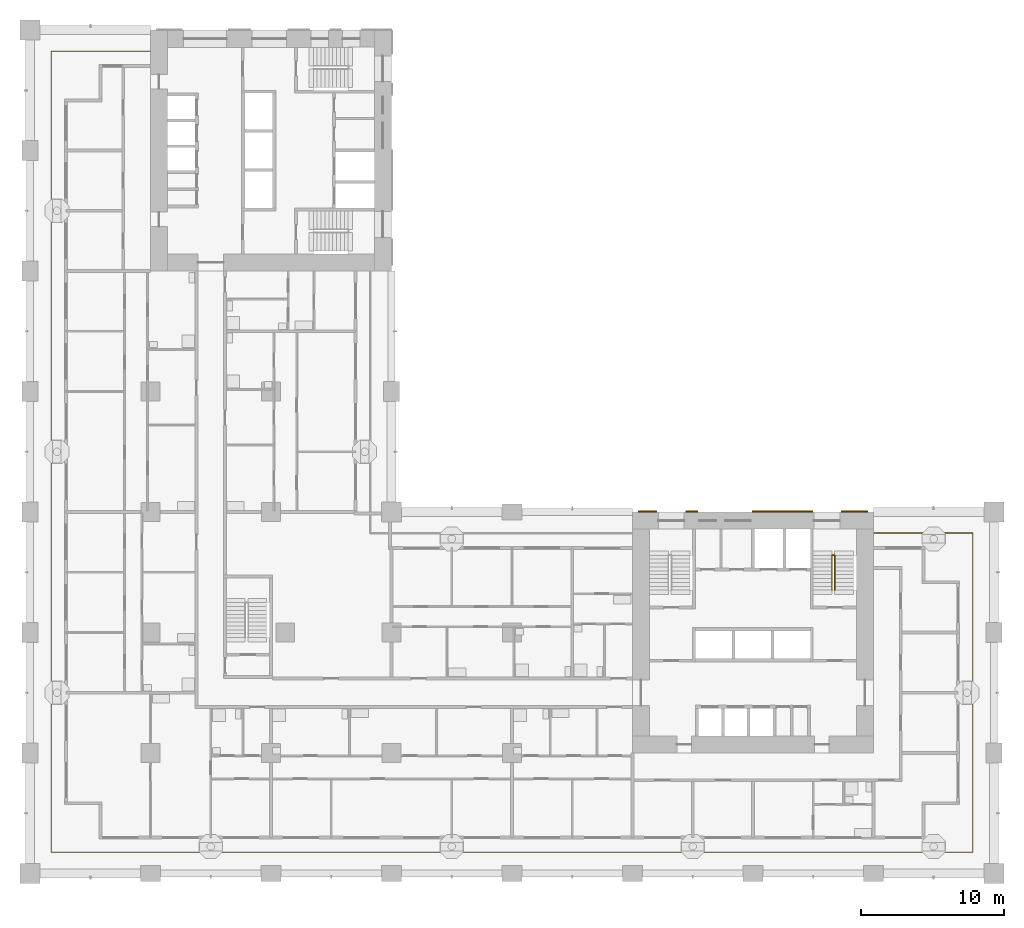
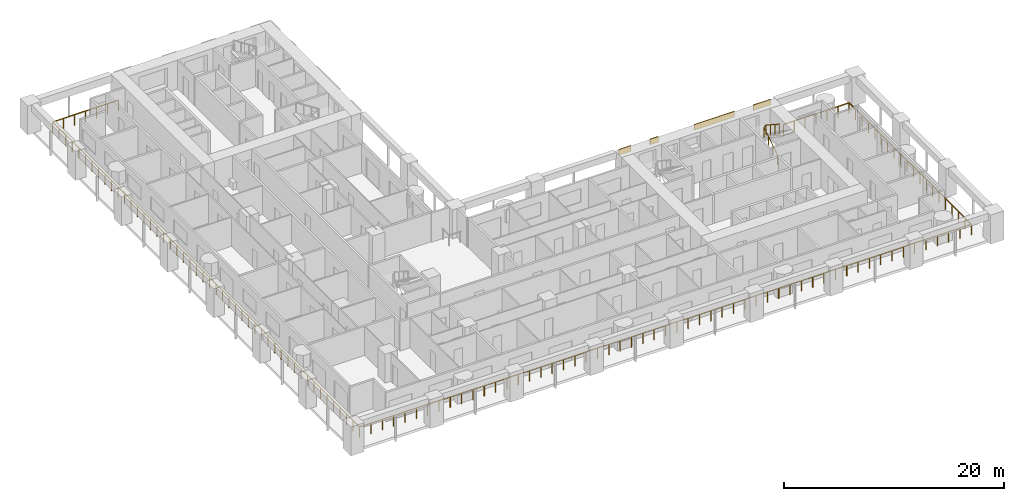
# One storey, part 13 of 20: 4 shading devices, 2 railings.
"""IFC4 building model written with IfcOpenShell, lengths in metres."""

from ifc_helpers import new_model, si_unit, direction, frame, origin, origin_2d, place, context, subcontext, project, spatial, rectangle, circle, extrude, material, layer, layer_set, type_object, element, save


model = new_model("IFC4")

# Units and contexts
model_context = context("Model", 3, precision=1e-05, world=origin(), true_north=direction((0.0, 1.0)))
body_context = subcontext(model_context, "Body", "Model", "MODEL_VIEW")
ifc_project = project(units=[si_unit("LENGTHUNIT", "METRE"), si_unit("AREAUNIT", "SQUARE_METRE"), si_unit("VOLUMEUNIT", "CUBIC_METRE"), si_unit("PLANEANGLEUNIT", "RADIAN"), si_unit("MASSUNIT", "GRAM", prefix="KILO")], contexts=[model_context])

# Site, building, storey
site_placement = place(None, origin())
site = spatial("IfcSite", under=ifc_project, at=site_placement, CompositionType="ELEMENT")
building_placement = place(site_placement, origin())
building = spatial("IfcBuilding", under=site, at=building_placement, Name="Vermilion Gate Residences", CompositionType="ELEMENT")
storey_placement = place(building_placement, frame((0.0, 0.0, 35.699951171875)))
storey = spatial("IfcBuildingStorey", under=building, at=storey_placement, Name="L07", CompositionType="ELEMENT", Elevation=35.699951171875)

# Railings
ifc_material_1 = material(Name="Stainless steel and toughened glass", Category="steel")
railing_type_1 = type_object("IfcRailingType", Name="LOGGIA GUARD STEEL AND GLASS 1200", PredefinedType="GUARDRAIL", material=ifc_material_1)
railing_1_placement = place(storey_placement, frame((8.3779296875, 57.324951171875, 0.0)))
element("IfcRailing", 1, at=railing_1_placement, inside=storey, type_object=railing_type_1, Name="Loggia guard", PredefinedType="GUARDRAIL", context=body_context, shape_type="SweptSolid", body=[
    extrude(circle(Radius=0.030029296875, at=origin_2d()), frame((0.0, 0.0, 1.169921875), z_axis=(-1.0, 0.0, 0.0), x_axis=(0.0, -1.0, 0.0)), (0.0, 0.0, 1.0), 6.90283203125),
    extrude(circle(Radius=0.030029296875, at=origin_2d()), frame((-6.90283203125, 0.0, 1.169921875), z_axis=(0.0, -1.0, 0.0), x_axis=(1.0, 0.0, 0.0)), (0.0, 0.0, 1.0), 55.849853515625),
    extrude(circle(Radius=0.030029296875, at=origin_2d()), frame((-6.90283203125, -55.849853515625, 1.169921875), z_axis=(1.0, 0.0, 0.0), x_axis=(0.0, 1.0, 0.0)), (0.0, 0.0, 1.0), 64.25),
    extrude(circle(Radius=0.030029296875, at=origin_2d()), frame((57.34716796875, -55.849853515625, 1.169921875), z_axis=(0.0, 1.0, 0.0), x_axis=(-1.0, 0.0, 0.0)), (0.0, 0.0, 1.0), 22.25),
    extrude(circle(Radius=0.030029296875, at=origin_2d()), frame((57.34716796875, -33.599853515625, 1.169921875), z_axis=(-1.0, 0.0, 0.0), x_axis=(0.0, -1.0, 0.0)), (0.0, 0.0, 1.0), 6.903076171875),
    extrude(circle(Radius=0.02490234375, at=origin_2d()), origin(), (0.0, 0.0, 1.0), 1.139892578125),
    extrude(circle(Radius=0.02490234375, at=origin_2d()), frame((-1.150390625, 0.0, 0.0)), (0.0, 0.0, 1.0), 1.139892578125),
    extrude(circle(Radius=0.02490234375, at=origin_2d()), frame((-2.301025390625, 0.0, 0.0)), (0.0, 0.0, 1.0), 1.139892578125),
    extrude(circle(Radius=0.02490234375, at=origin_2d()), frame((-3.451416015625, 0.0, 0.0)), (0.0, 0.0, 1.0), 1.139892578125),
    extrude(circle(Radius=0.02490234375, at=origin_2d()), frame((-4.601806640625, 0.0, 0.0)), (0.0, 0.0, 1.0), 1.139892578125),
    extrude(circle(Radius=0.02490234375, at=origin_2d()), frame((-5.75244140625, 0.0, 0.0)), (0.0, 0.0, 1.0), 1.139892578125),
    extrude(circle(Radius=0.02490234375, at=origin_2d()), frame((-6.90283203125, 0.0, 0.0)), (0.0, 0.0, 1.0), 1.139892578125),
    extrude(circle(Radius=0.02490234375, at=origin_2d()), frame((-6.90283203125, -1.188232421875, 0.0)), (0.0, 0.0, 1.0), 1.139892578125),
    extrude(circle(Radius=0.02490234375, at=origin_2d()), frame((-6.90283203125, -2.376708984375, 0.0)), (0.0, 0.0, 1.0), 1.139892578125),
    extrude(circle(Radius=0.02490234375, at=origin_2d()), frame((-6.90283203125, -3.56494140625, 0.0)), (0.0, 0.0, 1.0), 1.139892578125),
    extrude(circle(Radius=0.02490234375, at=origin_2d()), frame((-6.90283203125, -4.753173828125, 0.0)), (0.0, 0.0, 1.0), 1.139892578125),
    extrude(circle(Radius=0.02490234375, at=origin_2d()), frame((-6.90283203125, -5.94140625, 0.0)), (0.0, 0.0, 1.0), 1.139892578125),
    extrude(circle(Radius=0.02490234375, at=origin_2d()), frame((-6.90283203125, -7.1298828125, 0.0)), (0.0, 0.0, 1.0), 1.139892578125),
    extrude(circle(Radius=0.02490234375, at=origin_2d()), frame((-6.90283203125, -8.318115234375, 0.0)), (0.0, 0.0, 1.0), 1.139892578125),
    extrude(circle(Radius=0.02490234375, at=origin_2d()), frame((-6.90283203125, -9.50634765625, 0.0)), (0.0, 0.0, 1.0), 1.139892578125),
    extrude(circle(Radius=0.02490234375, at=origin_2d()), frame((-6.90283203125, -10.694580078125, 0.0)), (0.0, 0.0, 1.0), 1.139892578125),
    extrude(circle(Radius=0.02490234375, at=origin_2d()), frame((-6.90283203125, -11.883056640625, 0.0)), (0.0, 0.0, 1.0), 1.139892578125),
    extrude(circle(Radius=0.02490234375, at=origin_2d()), frame((-6.90283203125, -13.0712890625, 0.0)), (0.0, 0.0, 1.0), 1.139892578125),
    extrude(circle(Radius=0.02490234375, at=origin_2d()), frame((-6.90283203125, -14.259521484375, 0.0)), (0.0, 0.0, 1.0), 1.139892578125),
    extrude(circle(Radius=0.02490234375, at=origin_2d()), frame((-6.90283203125, -15.44775390625, 0.0)), (0.0, 0.0, 1.0), 1.139892578125),
    extrude(circle(Radius=0.02490234375, at=origin_2d()), frame((-6.90283203125, -16.63623046875, 0.0)), (0.0, 0.0, 1.0), 1.139892578125),
    extrude(circle(Radius=0.02490234375, at=origin_2d()), frame((-6.90283203125, -17.824462890625, 0.0)), (0.0, 0.0, 1.0), 1.139892578125),
    extrude(circle(Radius=0.02490234375, at=origin_2d()), frame((-6.90283203125, -19.0126953125, 0.0)), (0.0, 0.0, 1.0), 1.139892578125),
    extrude(circle(Radius=0.02490234375, at=origin_2d()), frame((-6.90283203125, -20.200927734375, 0.0)), (0.0, 0.0, 1.0), 1.139892578125),
    extrude(circle(Radius=0.02490234375, at=origin_2d()), frame((-6.90283203125, -21.389404296875, 0.0)), (0.0, 0.0, 1.0), 1.139892578125),
    extrude(circle(Radius=0.02490234375, at=origin_2d()), frame((-6.90283203125, -22.57763671875, 0.0)), (0.0, 0.0, 1.0), 1.139892578125),
    extrude(circle(Radius=0.02490234375, at=origin_2d()), frame((-6.90283203125, -23.765869140625, 0.0)), (0.0, 0.0, 1.0), 1.139892578125),
    extrude(circle(Radius=0.02490234375, at=origin_2d()), frame((-6.90283203125, -24.9541015625, 0.0)), (0.0, 0.0, 1.0), 1.139892578125),
    extrude(circle(Radius=0.02490234375, at=origin_2d()), frame((-6.90283203125, -26.142578125, 0.0)), (0.0, 0.0, 1.0), 1.139892578125),
    extrude(circle(Radius=0.02490234375, at=origin_2d()), frame((-6.90283203125, -27.330810546875, 0.0)), (0.0, 0.0, 1.0), 1.139892578125),
    extrude(circle(Radius=0.02490234375, at=origin_2d()), frame((-6.90283203125, -28.51904296875, 0.0)), (0.0, 0.0, 1.0), 1.139892578125),
    extrude(circle(Radius=0.02490234375, at=origin_2d()), frame((-6.90283203125, -29.707275390625, 0.0)), (0.0, 0.0, 1.0), 1.139892578125),
    extrude(circle(Radius=0.02490234375, at=origin_2d()), frame((-6.90283203125, -30.895751953125, 0.0)), (0.0, 0.0, 1.0), 1.139892578125),
    extrude(circle(Radius=0.02490234375, at=origin_2d()), frame((-6.90283203125, -32.083984375, 0.0)), (0.0, 0.0, 1.0), 1.139892578125),
    extrude(circle(Radius=0.02490234375, at=origin_2d()), frame((-6.90283203125, -33.272216796875, 0.0)), (0.0, 0.0, 1.0), 1.139892578125),
    extrude(circle(Radius=0.02490234375, at=origin_2d()), frame((-6.90283203125, -34.46044921875, 0.0)), (0.0, 0.0, 1.0), 1.139892578125),
    extrude(circle(Radius=0.02490234375, at=origin_2d()), frame((-6.90283203125, -35.64892578125, 0.0)), (0.0, 0.0, 1.0), 1.139892578125),
    extrude(circle(Radius=0.02490234375, at=origin_2d()), frame((-6.90283203125, -36.837158203125, 0.0)), (0.0, 0.0, 1.0), 1.139892578125),
    extrude(circle(Radius=0.02490234375, at=origin_2d()), frame((-6.90283203125, -38.025390625, 0.0)), (0.0, 0.0, 1.0), 1.139892578125),
    extrude(circle(Radius=0.02490234375, at=origin_2d()), frame((-6.90283203125, -39.213623046875, 0.0)), (0.0, 0.0, 1.0), 1.139892578125),
    extrude(circle(Radius=0.02490234375, at=origin_2d()), frame((-6.90283203125, -40.402099609375, 0.0)), (0.0, 0.0, 1.0), 1.139892578125),
    extrude(circle(Radius=0.02490234375, at=origin_2d()), frame((-6.90283203125, -41.59033203125, 0.0)), (0.0, 0.0, 1.0), 1.139892578125),
    extrude(circle(Radius=0.02490234375, at=origin_2d()), frame((-6.90283203125, -42.778564453125, 0.0)), (0.0, 0.0, 1.0), 1.139892578125),
    extrude(circle(Radius=0.02490234375, at=origin_2d()), frame((-6.90283203125, -43.966796875, 0.0)), (0.0, 0.0, 1.0), 1.139892578125),
    extrude(circle(Radius=0.02490234375, at=origin_2d()), frame((-6.90283203125, -45.1552734375, 0.0)), (0.0, 0.0, 1.0), 1.139892578125),
    extrude(circle(Radius=0.02490234375, at=origin_2d()), frame((-6.90283203125, -46.343505859375, 0.0)), (0.0, 0.0, 1.0), 1.139892578125),
    extrude(circle(Radius=0.02490234375, at=origin_2d()), frame((-6.90283203125, -47.53173828125, 0.0)), (0.0, 0.0, 1.0), 1.139892578125),
    extrude(circle(Radius=0.02490234375, at=origin_2d()), frame((-6.90283203125, -48.719970703125, 0.0)), (0.0, 0.0, 1.0), 1.139892578125),
    extrude(circle(Radius=0.02490234375, at=origin_2d()), frame((-6.90283203125, -49.908447265625, 0.0)), (0.0, 0.0, 1.0), 1.139892578125),
    extrude(circle(Radius=0.02490234375, at=origin_2d()), frame((-6.90283203125, -51.0966796875, 0.0)), (0.0, 0.0, 1.0), 1.139892578125),
    extrude(circle(Radius=0.02490234375, at=origin_2d()), frame((-6.90283203125, -52.284912109375, 0.0)), (0.0, 0.0, 1.0), 1.139892578125),
    extrude(circle(Radius=0.02490234375, at=origin_2d()), frame((-6.90283203125, -53.47314453125, 0.0)), (0.0, 0.0, 1.0), 1.139892578125),
    extrude(circle(Radius=0.02490234375, at=origin_2d()), frame((-6.90283203125, -54.66162109375, 0.0)), (0.0, 0.0, 1.0), 1.139892578125),
    extrude(circle(Radius=0.02490234375, at=origin_2d()), frame((-6.90283203125, -55.849853515625, 0.0)), (0.0, 0.0, 1.0), 1.139892578125),
    extrude(circle(Radius=0.02490234375, at=origin_2d()), frame((-5.713134765625, -55.849853515625, 0.0)), (0.0, 0.0, 1.0), 1.139892578125),
    extrude(circle(Radius=0.02490234375, at=origin_2d()), frame((-4.523193359375, -55.849853515625, 0.0)), (0.0, 0.0, 1.0), 1.139892578125),
    extrude(circle(Radius=0.02490234375, at=origin_2d()), frame((-3.33349609375, -55.849853515625, 0.0)), (0.0, 0.0, 1.0), 1.139892578125),
    extrude(circle(Radius=0.02490234375, at=origin_2d()), frame((-2.1435546875, -55.849853515625, 0.0)), (0.0, 0.0, 1.0), 1.139892578125),
    extrude(circle(Radius=0.02490234375, at=origin_2d()), frame((-0.953857421875, -55.849853515625, 0.0)), (0.0, 0.0, 1.0), 1.139892578125),
    extrude(circle(Radius=0.02490234375, at=origin_2d()), frame((0.236083984375, -55.849853515625, 0.0)), (0.0, 0.0, 1.0), 1.139892578125),
    extrude(circle(Radius=0.02490234375, at=origin_2d()), frame((1.42578125, -55.849853515625, 0.0)), (0.0, 0.0, 1.0), 1.139892578125),
    extrude(circle(Radius=0.02490234375, at=origin_2d()), frame((2.61572265625, -55.849853515625, 0.0)), (0.0, 0.0, 1.0), 1.139892578125),
    extrude(circle(Radius=0.02490234375, at=origin_2d()), frame((3.805419921875, -55.849853515625, 0.0)), (0.0, 0.0, 1.0), 1.139892578125),
    extrude(circle(Radius=0.02490234375, at=origin_2d()), frame((4.995361328125, -55.849853515625, 0.0)), (0.0, 0.0, 1.0), 1.139892578125),
    extrude(circle(Radius=0.02490234375, at=origin_2d()), frame((6.18505859375, -55.849853515625, 0.0)), (0.0, 0.0, 1.0), 1.139892578125),
    extrude(circle(Radius=0.02490234375, at=origin_2d()), frame((7.375, -55.849853515625, 0.0)), (0.0, 0.0, 1.0), 1.139892578125),
    extrude(circle(Radius=0.02490234375, at=origin_2d()), frame((8.564697265625, -55.849853515625, 0.0)), (0.0, 0.0, 1.0), 1.139892578125),
    extrude(circle(Radius=0.02490234375, at=origin_2d()), frame((9.754638671875, -55.849853515625, 0.0)), (0.0, 0.0, 1.0), 1.139892578125),
    extrude(circle(Radius=0.02490234375, at=origin_2d()), frame((10.9443359375, -55.849853515625, 0.0)), (0.0, 0.0, 1.0), 1.139892578125),
    extrude(circle(Radius=0.02490234375, at=origin_2d()), frame((12.13427734375, -55.849853515625, 0.0)), (0.0, 0.0, 1.0), 1.139892578125),
    extrude(circle(Radius=0.02490234375, at=origin_2d()), frame((13.323974609375, -55.849853515625, 0.0)), (0.0, 0.0, 1.0), 1.139892578125),
    extrude(circle(Radius=0.02490234375, at=origin_2d()), frame((14.513916015625, -55.849853515625, 0.0)), (0.0, 0.0, 1.0), 1.139892578125),
    extrude(circle(Radius=0.02490234375, at=origin_2d()), frame((15.70361328125, -55.849853515625, 0.0)), (0.0, 0.0, 1.0), 1.139892578125),
    extrude(circle(Radius=0.02490234375, at=origin_2d()), frame((16.8935546875, -55.849853515625, 0.0)), (0.0, 0.0, 1.0), 1.139892578125),
    extrude(circle(Radius=0.02490234375, at=origin_2d()), frame((18.083251953125, -55.849853515625, 0.0)), (0.0, 0.0, 1.0), 1.139892578125),
    extrude(circle(Radius=0.02490234375, at=origin_2d()), frame((19.273193359375, -55.849853515625, 0.0)), (0.0, 0.0, 1.0), 1.139892578125),
    extrude(circle(Radius=0.02490234375, at=origin_2d()), frame((20.462890625, -55.849853515625, 0.0)), (0.0, 0.0, 1.0), 1.139892578125),
    extrude(circle(Radius=0.02490234375, at=origin_2d()), frame((21.65283203125, -55.849853515625, 0.0)), (0.0, 0.0, 1.0), 1.139892578125),
    extrude(circle(Radius=0.02490234375, at=origin_2d()), frame((22.842529296875, -55.849853515625, 0.0)), (0.0, 0.0, 1.0), 1.139892578125),
    extrude(circle(Radius=0.02490234375, at=origin_2d()), frame((24.032470703125, -55.849853515625, 0.0)), (0.0, 0.0, 1.0), 1.139892578125),
    extrude(circle(Radius=0.02490234375, at=origin_2d()), frame((25.22216796875, -55.849853515625, 0.0)), (0.0, 0.0, 1.0), 1.139892578125),
    extrude(circle(Radius=0.02490234375, at=origin_2d()), frame((26.411865234375, -55.849853515625, 0.0)), (0.0, 0.0, 1.0), 1.139892578125),
    extrude(circle(Radius=0.02490234375, at=origin_2d()), frame((27.601806640625, -55.849853515625, 0.0)), (0.0, 0.0, 1.0), 1.139892578125),
    extrude(circle(Radius=0.02490234375, at=origin_2d()), frame((28.79150390625, -55.849853515625, 0.0)), (0.0, 0.0, 1.0), 1.139892578125),
    extrude(circle(Radius=0.02490234375, at=origin_2d()), frame((29.9814453125, -55.849853515625, 0.0)), (0.0, 0.0, 1.0), 1.139892578125),
    extrude(circle(Radius=0.02490234375, at=origin_2d()), frame((31.171142578125, -55.849853515625, 0.0)), (0.0, 0.0, 1.0), 1.139892578125),
    extrude(circle(Radius=0.02490234375, at=origin_2d()), frame((32.361083984375, -55.849853515625, 0.0)), (0.0, 0.0, 1.0), 1.139892578125),
    extrude(circle(Radius=0.02490234375, at=origin_2d()), frame((33.55078125, -55.849853515625, 0.0)), (0.0, 0.0, 1.0), 1.139892578125),
    extrude(circle(Radius=0.02490234375, at=origin_2d()), frame((34.74072265625, -55.849853515625, 0.0)), (0.0, 0.0, 1.0), 1.139892578125),
    extrude(circle(Radius=0.02490234375, at=origin_2d()), frame((35.930419921875, -55.849853515625, 0.0)), (0.0, 0.0, 1.0), 1.139892578125),
    extrude(circle(Radius=0.02490234375, at=origin_2d()), frame((37.120361328125, -55.849853515625, 0.0)), (0.0, 0.0, 1.0), 1.139892578125),
    extrude(circle(Radius=0.02490234375, at=origin_2d()), frame((38.31005859375, -55.849853515625, 0.0)), (0.0, 0.0, 1.0), 1.139892578125),
    extrude(circle(Radius=0.02490234375, at=origin_2d()), frame((39.5, -55.849853515625, 0.0)), (0.0, 0.0, 1.0), 1.139892578125),
    extrude(circle(Radius=0.02490234375, at=origin_2d()), frame((40.689697265625, -55.849853515625, 0.0)), (0.0, 0.0, 1.0), 1.139892578125),
    extrude(circle(Radius=0.02490234375, at=origin_2d()), frame((41.879638671875, -55.849853515625, 0.0)), (0.0, 0.0, 1.0), 1.139892578125),
    extrude(circle(Radius=0.02490234375, at=origin_2d()), frame((43.0693359375, -55.849853515625, 0.0)), (0.0, 0.0, 1.0), 1.139892578125),
    extrude(circle(Radius=0.02490234375, at=origin_2d()), frame((44.25927734375, -55.849853515625, 0.0)), (0.0, 0.0, 1.0), 1.139892578125),
    extrude(circle(Radius=0.02490234375, at=origin_2d()), frame((45.448974609375, -55.849853515625, 0.0)), (0.0, 0.0, 1.0), 1.139892578125),
    extrude(circle(Radius=0.02490234375, at=origin_2d()), frame((46.638916015625, -55.849853515625, 0.0)), (0.0, 0.0, 1.0), 1.139892578125),
    extrude(circle(Radius=0.02490234375, at=origin_2d()), frame((47.82861328125, -55.849853515625, 0.0)), (0.0, 0.0, 1.0), 1.139892578125),
    extrude(circle(Radius=0.02490234375, at=origin_2d()), frame((49.0185546875, -55.849853515625, 0.0)), (0.0, 0.0, 1.0), 1.139892578125),
    extrude(circle(Radius=0.02490234375, at=origin_2d()), frame((50.208251953125, -55.849853515625, 0.0)), (0.0, 0.0, 1.0), 1.139892578125),
    extrude(circle(Radius=0.02490234375, at=origin_2d()), frame((51.398193359375, -55.849853515625, 0.0)), (0.0, 0.0, 1.0), 1.139892578125),
    extrude(circle(Radius=0.02490234375, at=origin_2d()), frame((52.587890625, -55.849853515625, 0.0)), (0.0, 0.0, 1.0), 1.139892578125),
    extrude(circle(Radius=0.02490234375, at=origin_2d()), frame((53.77783203125, -55.849853515625, 0.0)), (0.0, 0.0, 1.0), 1.139892578125),
    extrude(circle(Radius=0.02490234375, at=origin_2d()), frame((54.967529296875, -55.849853515625, 0.0)), (0.0, 0.0, 1.0), 1.139892578125),
    extrude(circle(Radius=0.02490234375, at=origin_2d()), frame((56.157470703125, -55.849853515625, 0.0)), (0.0, 0.0, 1.0), 1.139892578125),
    extrude(circle(Radius=0.02490234375, at=origin_2d()), frame((57.34716796875, -55.849853515625, 0.0)), (0.0, 0.0, 1.0), 1.139892578125),
    extrude(circle(Radius=0.02490234375, at=origin_2d()), frame((57.34716796875, -54.6787109375, 0.0)), (0.0, 0.0, 1.0), 1.139892578125),
    extrude(circle(Radius=0.02490234375, at=origin_2d()), frame((57.34716796875, -53.5078125, 0.0)), (0.0, 0.0, 1.0), 1.139892578125),
    extrude(circle(Radius=0.02490234375, at=origin_2d()), frame((57.34716796875, -52.336669921875, 0.0)), (0.0, 0.0, 1.0), 1.139892578125),
    extrude(circle(Radius=0.02490234375, at=origin_2d()), frame((57.34716796875, -51.16552734375, 0.0)), (0.0, 0.0, 1.0), 1.139892578125),
    extrude(circle(Radius=0.02490234375, at=origin_2d()), frame((57.34716796875, -49.99462890625, 0.0)), (0.0, 0.0, 1.0), 1.139892578125),
    extrude(circle(Radius=0.02490234375, at=origin_2d()), frame((57.34716796875, -48.823486328125, 0.0)), (0.0, 0.0, 1.0), 1.139892578125),
    extrude(circle(Radius=0.02490234375, at=origin_2d()), frame((57.34716796875, -47.652587890625, 0.0)), (0.0, 0.0, 1.0), 1.139892578125),
    extrude(circle(Radius=0.02490234375, at=origin_2d()), frame((57.34716796875, -46.4814453125, 0.0)), (0.0, 0.0, 1.0), 1.139892578125),
    extrude(circle(Radius=0.02490234375, at=origin_2d()), frame((57.34716796875, -45.310302734375, 0.0)), (0.0, 0.0, 1.0), 1.139892578125),
    extrude(circle(Radius=0.02490234375, at=origin_2d()), frame((57.34716796875, -44.139404296875, 0.0)), (0.0, 0.0, 1.0), 1.139892578125),
    extrude(circle(Radius=0.02490234375, at=origin_2d()), frame((57.34716796875, -42.96826171875, 0.0)), (0.0, 0.0, 1.0), 1.139892578125),
    extrude(circle(Radius=0.02490234375, at=origin_2d()), frame((57.34716796875, -41.797119140625, 0.0)), (0.0, 0.0, 1.0), 1.139892578125),
    extrude(circle(Radius=0.02490234375, at=origin_2d()), frame((57.34716796875, -40.626220703125, 0.0)), (0.0, 0.0, 1.0), 1.139892578125),
    extrude(circle(Radius=0.02490234375, at=origin_2d()), frame((57.34716796875, -39.455078125, 0.0)), (0.0, 0.0, 1.0), 1.139892578125),
    extrude(circle(Radius=0.02490234375, at=origin_2d()), frame((57.34716796875, -38.2841796875, 0.0)), (0.0, 0.0, 1.0), 1.139892578125),
    extrude(circle(Radius=0.02490234375, at=origin_2d()), frame((57.34716796875, -37.113037109375, 0.0)), (0.0, 0.0, 1.0), 1.139892578125),
    extrude(circle(Radius=0.02490234375, at=origin_2d()), frame((57.34716796875, -35.94189453125, 0.0)), (0.0, 0.0, 1.0), 1.139892578125),
    extrude(circle(Radius=0.02490234375, at=origin_2d()), frame((57.34716796875, -34.77099609375, 0.0)), (0.0, 0.0, 1.0), 1.139892578125),
    extrude(circle(Radius=0.02490234375, at=origin_2d()), frame((57.34716796875, -33.599853515625, 0.0)), (0.0, 0.0, 1.0), 1.139892578125),
    extrude(circle(Radius=0.02490234375, at=origin_2d()), frame((56.19677734375, -33.599853515625, 0.0)), (0.0, 0.0, 1.0), 1.139892578125),
    extrude(circle(Radius=0.02490234375, at=origin_2d()), frame((55.046142578125, -33.599853515625, 0.0)), (0.0, 0.0, 1.0), 1.139892578125),
    extrude(circle(Radius=0.02490234375, at=origin_2d()), frame((53.8955078125, -33.599853515625, 0.0)), (0.0, 0.0, 1.0), 1.139892578125),
    extrude(circle(Radius=0.02490234375, at=origin_2d()), frame((52.7451171875, -33.599853515625, 0.0)), (0.0, 0.0, 1.0), 1.139892578125),
    extrude(circle(Radius=0.02490234375, at=origin_2d()), frame((51.5947265625, -33.599853515625, 0.0)), (0.0, 0.0, 1.0), 1.139892578125),
    extrude(circle(Radius=0.02490234375, at=origin_2d()), frame((50.444091796875, -33.599853515625, 0.0)), (0.0, 0.0, 1.0), 1.139892578125),
])
ifc_material_2 = material(Name="Steel S355", Category="steel")
railing_type_2 = type_object("IfcRailingType", Name="STAIR GUARD 1100 STEEL", PredefinedType="GUARDRAIL", material=ifc_material_2)
railing_2_placement = place(storey_placement, frame((55.89990234375, 19.75, 0.175048828125)))
element("IfcRailing", 2, at=railing_2_placement, inside=storey, type_object=railing_type_2, Name="Stair well guard STA2-07", PredefinedType="GUARDRAIL", context=body_context, shape_type="SweptSolid", body=[
    extrude(circle(Radius=0.02392578125, at=origin_2d()), frame((0.0, 0.0, 1.076171875), z_axis=(0.0, 0.839153699163, 0.543894354798), x_axis=(-1.0, 0.0, 0.0)), (0.0, 0.0, 1.0), 2.895751953125),
    extrude(circle(Radius=0.02392578125, at=origin_2d()), frame((0.0, 2.429931640625, 2.65087890625), z_axis=(0.752804132164, 0.0, 0.658244588734), x_axis=(0.0, 1.0, 0.0)), (0.0, 0.0, 1.0), 0.265869140625),
    extrude(circle(Radius=0.02392578125, at=origin_2d()), frame((0.2001953125, 2.429931640625, 2.826171875), z_axis=(0.0, -0.839153699163, 0.543894354798), x_axis=(1.0, 0.0, 0.0)), (0.0, 0.0, 1.0), 2.895751953125),
    extrude(circle(Radius=0.02099609375, at=origin_2d()), origin(), (0.0, 0.0, 1.0), 1.052001953125),
    extrude(circle(Radius=0.02099609375, at=origin_2d()), frame((0.0, 0.81005859375, 0.52490234375)), (0.0, 0.0, 1.0), 1.052001953125),
    extrude(circle(Radius=0.02099609375, at=origin_2d()), frame((0.0, 1.619873046875, 1.050048828125)), (0.0, 0.0, 1.0), 1.052001953125),
    extrude(circle(Radius=0.02099609375, at=origin_2d()), frame((0.0, 2.429931640625, 1.574951171875)), (0.0, 0.0, 1.0), 1.052001953125),
    extrude(circle(Radius=0.02099609375, at=origin_2d()), frame((0.2001953125, 2.429931640625, 1.75)), (0.0, 0.0, 1.0), 1.052001953125),
    extrude(circle(Radius=0.02099609375, at=origin_2d()), frame((0.2001953125, 1.619873046875, 2.27490234375)), (0.0, 0.0, 1.0), 1.052001953125),
    extrude(circle(Radius=0.02099609375, at=origin_2d()), frame((0.2001953125, 0.81005859375, 2.800048828125)), (0.0, 0.0, 1.0), 1.052001953125),
    extrude(circle(Radius=0.02099609375, at=origin_2d()), frame((0.2001953125, 0.0, 3.324951171875)), (0.0, 0.0, 1.0), 1.052001953125),
])

# Shading devices
ifc_material_3 = material(Name="Extruded terracotta", Category="masonry")
ifc_layer = layer(ifc_material_3, 0.10009765625)
ifc_layer_set = layer_set([ifc_layer], Name="TERRACOTTA SPANDREL BAND 600 X 100")
shading_device_type = type_object("IfcShadingDeviceType", Name="TERRACOTTA SPANDREL BAND 600 X 100", PredefinedType="USERDEFINED", material=ifc_layer_set)
shading_device_1_placement = place(storey_placement, frame((43.050048828125, 25.25, 2.6201171875), z_axis=(0.0, 0.0, 1.0), x_axis=(1.0, 0.0, 0.0)))
element("IfcShadingDevice", 3, at=shading_device_1_placement, inside=storey, type_object=shading_device_type, Name="SPANDREL BAND", ObjectType="BAND", PredefinedType="USERDEFINED", context=body_context, shape_type="SweptSolid", body=[
    extrude(rectangle(XDim=1.300048828125, YDim=0.10009765625, at=origin_2d()), origin(), (0.0, 0.0, 1.0), 0.60009765625),
])
shading_device_2_placement = place(storey_placement, frame((46.121826171875, 25.25, 2.6201171875), z_axis=(0.0, 0.0, 1.0), x_axis=(1.0, 0.0, 0.0)))
element("IfcShadingDevice", 4, at=shading_device_2_placement, inside=storey, type_object=shading_device_type, Name="SPANDREL BAND", ObjectType="BAND", PredefinedType="USERDEFINED", context=body_context, shape_type="SweptSolid", body=[
    extrude(rectangle(XDim=0.84375, YDim=0.10009765625, at=origin_2d()), origin(), (0.0, 0.0, 1.0), 0.60009765625),
])
shading_device_3_placement = place(storey_placement, frame((52.449951171875, 25.25, 2.6201171875), z_axis=(0.0, 0.0, 1.0), x_axis=(1.0, 0.0, 0.0)))
element("IfcShadingDevice", 5, at=shading_device_3_placement, inside=storey, type_object=shading_device_type, Name="SPANDREL BAND", ObjectType="BAND", PredefinedType="USERDEFINED", context=body_context, shape_type="SweptSolid", body=[
    extrude(rectangle(XDim=4.199951171875, YDim=0.10009765625, at=origin_2d()), origin(), (0.0, 0.0, 1.0), 0.60009765625),
])
shading_device_4_placement = place(storey_placement, frame((57.47509765625, 25.25, 2.6201171875), z_axis=(0.0, 0.0, 1.0), x_axis=(1.0, 0.0, 0.0)))
element("IfcShadingDevice", 6, at=shading_device_4_placement, inside=storey, type_object=shading_device_type, Name="SPANDREL BAND", ObjectType="BAND", PredefinedType="USERDEFINED", context=body_context, shape_type="SweptSolid", body=[
    extrude(rectangle(XDim=1.85009765625, YDim=0.10009765625, at=origin_2d()), origin(), (0.0, 0.0, 1.0), 0.60009765625),
])

save(model, "model.ifc")
